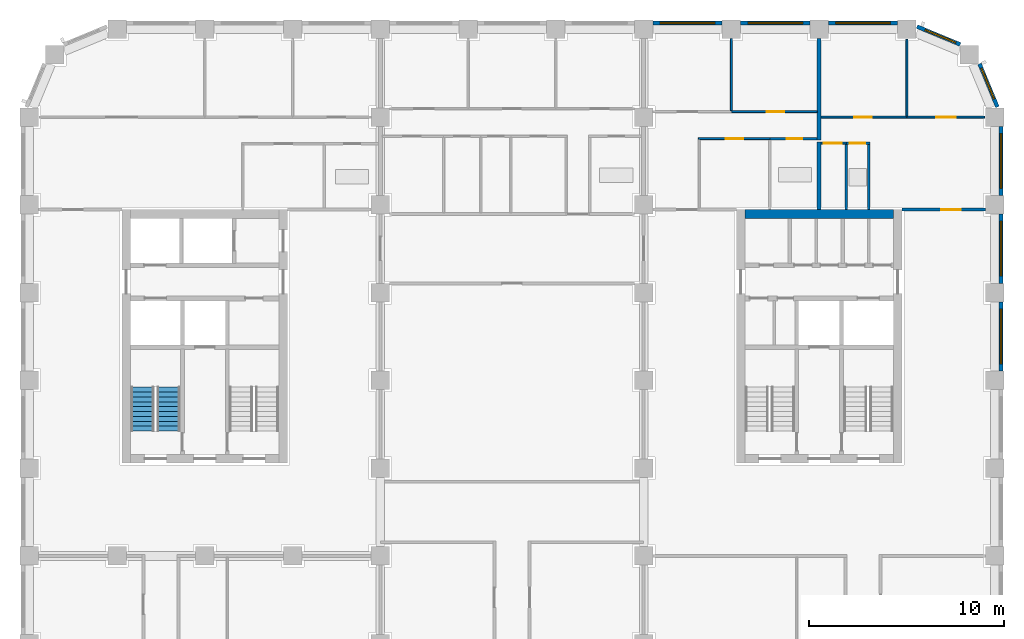
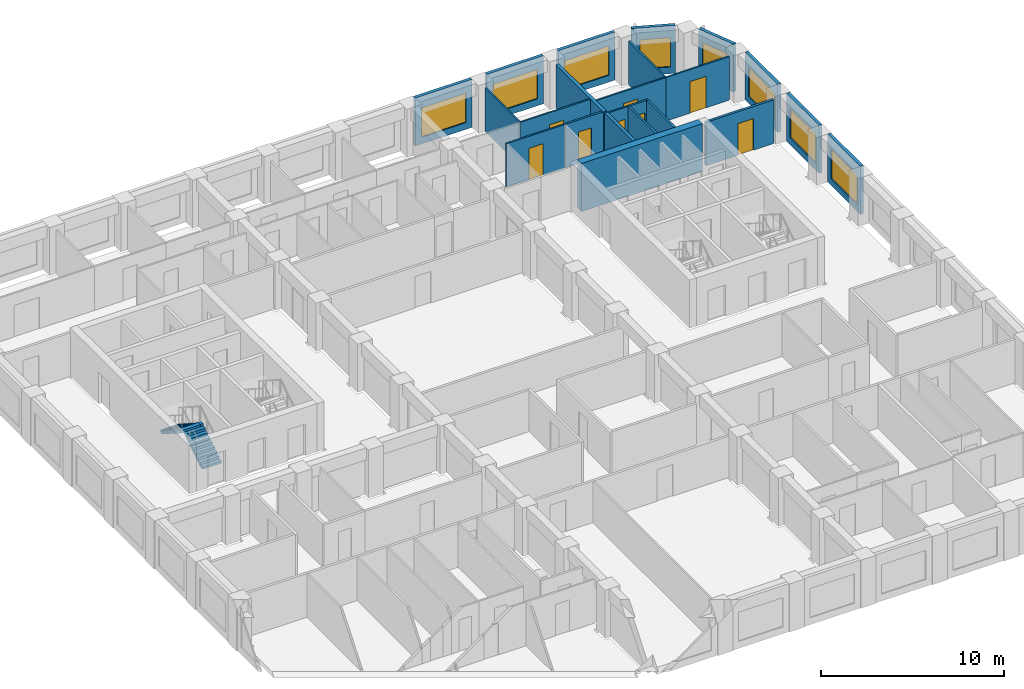
# One storey, part 9 of 13: 23 walls, 8 doors, 8 windows, 2 stair flights, 16 openings, 1 element without a shape of its own.
"""IFC4 building model written with IfcOpenShell, lengths in metres."""

from ifc_helpers import new_model, si_unit, direction, frame, frame_2d, origin, place, context, subcontext, project, spatial, polyline, rectangle, outline, extrude, material, layer, layer_set, type_object, element, fill, aggregate, save


model = new_model("IFC4")

# Units and contexts
model_context = context("Model", 3, precision=1e-05, world=origin(), true_north=direction((0.0, 1.0)))
body_context = subcontext(model_context, "Body", "Model", "MODEL_VIEW")
ifc_project = project(units=[si_unit("LENGTHUNIT", "METRE"), si_unit("AREAUNIT", "SQUARE_METRE"), si_unit("VOLUMEUNIT", "CUBIC_METRE"), si_unit("PLANEANGLEUNIT", "RADIAN"), si_unit("MASSUNIT", "GRAM", prefix="KILO")], contexts=[model_context])

# Site, building, storey
site_placement = place(None, origin())
site = spatial("IfcSite", under=ifc_project, at=site_placement, CompositionType="ELEMENT")
building_placement = place(site_placement, origin())
building = spatial("IfcBuilding", under=site, at=building_placement, Name="Girih Gate Residences", CompositionType="ELEMENT")
storey_placement = place(building_placement, frame((0.0, 0.0, 130.199951171875)))
storey = spatial("IfcBuildingStorey", under=building, at=storey_placement, Name="L36", CompositionType="ELEMENT", Elevation=130.199951171875)

# Wall, opening, door
ifc_material_1 = material(Name="Gypsum board on steel studs", Category="steel")
ifc_layer_1 = layer(ifc_material_1, 0.14990234375)
ifc_layer_set_1 = layer_set([ifc_layer_1], Name="Compartment wall 150 mm")
wall_type_1 = type_object("IfcWallType", Name="Compartment wall 150 mm", PredefinedType="PARTITIONING", material=ifc_layer_set_1)
wall_1_placement = place(storey_placement, frame((44.75, 40.25, 0.0), z_axis=(0.0, 0.0, 1.0), x_axis=(1.0, 0.0, 0.0)))
wall_1 = element("IfcWall", 1, at=wall_1_placement, inside=storey, type_object=wall_type_1, Name="L36 partition", PredefinedType="PARTITIONING", context=body_context, shape_type="SweptSolid", body=[
    extrude(rectangle(XDim=4.27490234375, YDim=0.14990234375, at=frame_2d((2.137451171875, 0.0))), origin(), (0.0, 0.0, 1.0), 2.900146484375),
])
opening_1_placement = place(wall_1_placement, frame((2.0, 0.0, 0.0)))
opening_1 = element("IfcOpeningElement", 2, at=opening_1_placement, cuts=wall_1, Name="Opening A36-031", PredefinedType="OPENING", context=body_context, shape_type="SweptSolid", body=[
    extrude(rectangle(XDim=1.0, YDim=2.10009765625, at=frame_2d((0.5, 1.050048828125))), frame((0.0, 0.0849609375, 0.0), z_axis=(0.0, -1.0, 0.0), x_axis=(1.0, 0.0, 0.0)), (0.0, 0.0, 1.0), 0.169921875),
])
ifc_material_2 = material(Name="Timber, fire-rated core", Category="wood")
door_type_1 = type_object("IfcDoorType", Name="Flat entrance door 1000x2100 FD30S", OperationType="NOTDEFINED", PredefinedType="DOOR", material=ifc_material_2)
door_1_placement = place(opening_1_placement, origin())
door_1 = element("IfcDoor", 3, at=door_1_placement, inside=storey, type_object=door_type_1, Name="Door A36-031", OperationType="SINGLE_SWING_RIGHT", OverallHeight=2.10009765625, OverallWidth=1.0, PredefinedType="DOOR", context=body_context, shape_type="SweptSolid", body=[
    extrude(rectangle(XDim=1.0, YDim=2.10009765625, at=frame_2d((0.5, 1.050048828125))), frame((0.0, 0.02490234375, 0.0), z_axis=(0.0, -1.0, 0.0), x_axis=(1.0, 0.0, 0.0)), (0.0, 0.0, 1.0), 0.050048828125),
])
fill(opening_1, door_1)

# Wall
ifc_material_3 = material(Name="Concrete C60/75", Category="concrete")
ifc_layer_2 = layer(ifc_material_3, 0.449951171875)
ifc_layer_set_2 = layer_set([ifc_layer_2], Name="Core wall RC 450 Concrete C60/75")
wall_type_2 = type_object("IfcWallType", Name="Core wall RC 450 Concrete C60/75", PredefinedType="SOLIDWALL", material=ifc_layer_set_2)
wall_2_placement = place(storey_placement, frame((36.699951171875, 40.02490234375, 0.0), z_axis=(0.0, 0.0, 1.0), x_axis=(1.0, 0.0, 0.0)))
element("IfcWall", 4, at=wall_2_placement, inside=storey, type_object=wall_type_2, Name="Core wall E-N L36", PredefinedType="SOLIDWALL", context=body_context, shape_type="SweptSolid", body=[
    extrude(rectangle(XDim=7.60009765625, YDim=0.449951171875, at=frame_2d((3.800048828125, 0.0))), origin(), (0.0, 0.0, 1.0), 3.199951171875),
])

# Wall, opening, door
ifc_layer_3 = layer(ifc_material_1, 0.10009765625)
ifc_layer_set_3 = layer_set([ifc_layer_3], Name="Partition 100 mm")
wall_type_3 = type_object("IfcWallType", Name="Partition 100 mm", PredefinedType="PARTITIONING", material=ifc_layer_set_3)
wall_3_placement = place(storey_placement, frame((40.60009765625, 45.0, 0.0), z_axis=(0.0, 0.0, 1.0), x_axis=(1.0, 0.0, 0.0)))
wall_3 = element("IfcWall", 5, at=wall_3_placement, inside=storey, type_object=wall_type_3, Name="L36 partition", PredefinedType="PARTITIONING", context=body_context, shape_type="SweptSolid", body=[
    extrude(rectangle(XDim=4.39990234375, YDim=0.10009765625, at=frame_2d((2.199951171875, 0.0))), origin(), (0.0, 0.0, 1.0), 2.900146484375),
])
opening_2_placement = place(wall_3_placement, frame((1.699951171875, 0.0, 0.0)))
opening_2 = element("IfcOpeningElement", 6, at=opening_2_placement, cuts=wall_3, Name="Opening A36-028", PredefinedType="OPENING", context=body_context, shape_type="SweptSolid", body=[
    extrude(rectangle(XDim=0.89990234375, YDim=2.10009765625, at=frame_2d((0.449951171875, 1.050048828125))), frame((0.0, 0.06005859375, 0.0), z_axis=(0.0, -1.0, 0.0), x_axis=(1.0, 0.0, 0.0)), (0.0, 0.0, 1.0), 0.1201171875),
])
ifc_material_4 = material(Name="Timber", Category="wood")
door_type_2 = type_object("IfcDoorType", Name="Bedroom door 900x2100", OperationType="NOTDEFINED", PredefinedType="DOOR", material=ifc_material_4)
door_2_placement = place(opening_2_placement, origin())
door_2 = element("IfcDoor", 7, at=door_2_placement, inside=storey, type_object=door_type_2, Name="Door A36-028", OperationType="SINGLE_SWING_LEFT", OverallHeight=2.10009765625, OverallWidth=0.89990234375, PredefinedType="DOOR", context=body_context, shape_type="SweptSolid", body=[
    extrude(rectangle(XDim=0.89990234375, YDim=2.10009765625, at=frame_2d((0.449951171875, 1.050048828125))), frame((0.0, 0.02490234375, 0.0), z_axis=(0.0, -1.0, 0.0), x_axis=(1.0, 0.0, 0.0)), (0.0, 0.0, 1.0), 0.050048828125),
])
fill(opening_2, door_2)

# Wall
wall_4_placement = place(storey_placement, frame((45.0, 45.050048828125, 0.0), z_axis=(0.0, 0.0, 1.0), x_axis=(0.0, 1.0, 0.0)))
element("IfcWall", 8, at=wall_4_placement, inside=storey, type_object=wall_type_3, Name="L36 partition", PredefinedType="PARTITIONING", context=body_context, shape_type="SweptSolid", body=[
    extrude(rectangle(XDim=3.935791015625, YDim=0.10009765625, at=frame_2d((1.9677734375, 0.0))), origin(), (0.0, 0.0, 1.0), 2.900146484375),
])

# Wall, opening, door
wall_5_placement = place(storey_placement, frame((41.890869140625, 43.659912109375, 0.0), z_axis=(0.0, 0.0, 1.0), x_axis=(-1.0, 0.0, 0.0)))
wall_5 = element("IfcWall", 9, at=wall_5_placement, inside=storey, type_object=wall_type_3, Name="L36 partition", PredefinedType="PARTITIONING", context=body_context, shape_type="SweptSolid", body=[
    extrude(rectangle(XDim=1.290771484375, YDim=0.10009765625, at=frame_2d((0.6455078125, 0.0))), origin(), (0.0, 0.0, 1.0), 2.900146484375),
])
opening_3_placement = place(wall_5_placement, frame((0.24560546875, 0.0, 0.0)))
opening_3 = element("IfcOpeningElement", 10, at=opening_3_placement, cuts=wall_5, Name="Opening A36-029", PredefinedType="OPENING", context=body_context, shape_type="SweptSolid", body=[
    extrude(rectangle(XDim=0.89990234375, YDim=2.10009765625, at=frame_2d((0.449951171875, 1.050048828125))), frame((0.0, 0.06005859375, 0.0), z_axis=(0.0, -1.0, 0.0), x_axis=(1.0, 0.0, 0.0)), (0.0, 0.0, 1.0), 0.1201171875),
])
door_type_3 = type_object("IfcDoorType", Name="Kitchen door 900x2100", OperationType="NOTDEFINED", PredefinedType="DOOR", material=ifc_material_4)
door_3_placement = place(opening_3_placement, origin())
door_3 = element("IfcDoor", 11, at=door_3_placement, inside=storey, type_object=door_type_3, Name="Door A36-029", OperationType="SINGLE_SWING_RIGHT", OverallHeight=2.10009765625, OverallWidth=0.89990234375, PredefinedType="DOOR", context=body_context, shape_type="SweptSolid", body=[
    extrude(rectangle(XDim=0.89990234375, YDim=2.10009765625, at=frame_2d((0.449951171875, 1.050048828125))), frame((0.0, 0.02490234375, 0.0), z_axis=(0.0, -1.0, 0.0), x_axis=(1.0, 0.0, 0.0)), (0.0, 0.0, 1.0), 0.050048828125),
])
fill(opening_3, door_3)

wall_6_placement = place(storey_placement, frame((45.0, 45.0, 0.0), z_axis=(0.0, 0.0, 1.0), x_axis=(1.0, 0.0, 0.0)))
wall_6 = element("IfcWall", 12, at=wall_6_placement, inside=storey, type_object=wall_type_3, Name="L36 partition", PredefinedType="PARTITIONING", context=body_context, shape_type="SweptSolid", body=[
    extrude(rectangle(XDim=3.98583984375, YDim=0.10009765625, at=frame_2d((1.992919921875, 0.0))), origin(), (0.0, 0.0, 1.0), 2.900146484375),
])
opening_4_placement = place(wall_6_placement, frame((1.512451171875, 0.0, 0.0)))
opening_4 = element("IfcOpeningElement", 13, at=opening_4_placement, cuts=wall_6, Name="Opening A36-030", PredefinedType="OPENING", context=body_context, shape_type="SweptSolid", body=[
    extrude(rectangle(XDim=1.0, YDim=2.10009765625, at=frame_2d((0.5, 1.050048828125))), frame((0.0, 0.06005859375, 0.0), z_axis=(0.0, -1.0, 0.0), x_axis=(1.0, 0.0, 0.0)), (0.0, 0.0, 1.0), 0.1201171875),
])
door_type_4 = type_object("IfcDoorType", Name="Living room door 1000x2100", OperationType="NOTDEFINED", PredefinedType="DOOR", material=ifc_material_4)
door_4_placement = place(opening_4_placement, origin())
door_4 = element("IfcDoor", 14, at=door_4_placement, inside=storey, type_object=door_type_4, Name="Door A36-030", OperationType="SINGLE_SWING_RIGHT", OverallHeight=2.10009765625, OverallWidth=1.0, PredefinedType="DOOR", context=body_context, shape_type="SweptSolid", body=[
    extrude(rectangle(XDim=1.0, YDim=2.10009765625, at=frame_2d((0.5, 1.050048828125))), frame((0.0, 0.02490234375, 0.0), z_axis=(0.0, -1.0, 0.0), x_axis=(1.0, 0.0, 0.0)), (0.0, 0.0, 1.0), 0.050048828125),
])
fill(opening_4, door_4)

wall_7_placement = place(storey_placement, frame((36.0, 45.27490234375, 0.0), z_axis=(0.0, 0.0, 1.0), x_axis=(1.0, 0.0, 0.0)))
wall_7 = element("IfcWall", 15, at=wall_7_placement, inside=storey, type_object=wall_type_3, Name="L36 partition", PredefinedType="PARTITIONING", context=body_context, shape_type="SweptSolid", body=[
    extrude(rectangle(XDim=4.39990234375, YDim=0.10009765625, at=frame_2d((2.199951171875, 0.0))), origin(), (0.0, 0.0, 1.0), 2.900146484375),
])
opening_5_placement = place(wall_7_placement, frame((1.800048828125, 0.0, 0.0)))
opening_5 = element("IfcOpeningElement", 16, at=opening_5_placement, cuts=wall_7, Name="Opening A36-033", PredefinedType="OPENING", context=body_context, shape_type="SweptSolid", body=[
    extrude(rectangle(XDim=0.89990234375, YDim=2.10009765625, at=frame_2d((0.449951171875, 1.050048828125))), frame((0.0, 0.06005859375, 0.0), z_axis=(0.0, -1.0, 0.0), x_axis=(1.0, 0.0, 0.0)), (0.0, 0.0, 1.0), 0.1201171875),
])
door_5_placement = place(opening_5_placement, origin())
door_5 = element("IfcDoor", 17, at=door_5_placement, inside=storey, type_object=door_type_2, Name="Door A36-033", OperationType="SINGLE_SWING_RIGHT", OverallHeight=2.10009765625, OverallWidth=0.89990234375, PredefinedType="DOOR", context=body_context, shape_type="SweptSolid", body=[
    extrude(rectangle(XDim=0.89990234375, YDim=2.10009765625, at=frame_2d((0.449951171875, 1.050048828125))), frame((0.0, 0.02490234375, 0.0), z_axis=(0.0, -1.0, 0.0), x_axis=(1.0, 0.0, 0.0)), (0.0, 0.0, 1.0), 0.050048828125),
])
fill(opening_5, door_5)

# Wall
wall_8_placement = place(storey_placement, frame((36.0, 45.324951171875, 0.0), z_axis=(0.0, 0.0, 1.0), x_axis=(0.0, 1.0, 0.0)))
element("IfcWall", 18, at=wall_8_placement, inside=storey, type_object=wall_type_3, Name="L36 partition", PredefinedType="PARTITIONING", context=body_context, shape_type="SweptSolid", body=[
    extrude(rectangle(XDim=3.699951171875, YDim=0.10009765625, at=frame_2d((1.85009765625, 0.0))), origin(), (0.0, 0.0, 1.0), 2.900146484375),
])

# Wall, opening, door
wall_9_placement = place(storey_placement, frame((37.97265625, 43.89501953125, 0.0), z_axis=(0.0, 0.0, 1.0), x_axis=(-1.0, 0.0, 0.0)))
wall_9 = element("IfcWall", 19, at=wall_9_placement, inside=storey, type_object=wall_type_3, Name="L36 partition", PredefinedType="PARTITIONING", context=body_context, shape_type="SweptSolid", body=[
    extrude(rectangle(XDim=3.672607421875, YDim=0.10009765625, at=frame_2d((1.83642578125, 0.0))), origin(), (0.0, 0.0, 1.0), 2.900146484375),
])
opening_6_placement = place(wall_9_placement, frame((1.361328125, 0.0, 0.0)))
opening_6 = element("IfcOpeningElement", 20, at=opening_6_placement, cuts=wall_9, Name="Opening A36-034", PredefinedType="OPENING", context=body_context, shape_type="SweptSolid", body=[
    extrude(rectangle(XDim=0.89990234375, YDim=2.10009765625, at=frame_2d((0.449951171875, 1.050048828125))), frame((0.0, 0.06005859375, 0.0), z_axis=(0.0, -1.0, 0.0), x_axis=(1.0, 0.0, 0.0)), (0.0, 0.0, 1.0), 0.1201171875),
])
door_6_placement = place(opening_6_placement, origin())
door_6 = element("IfcDoor", 21, at=door_6_placement, inside=storey, type_object=door_type_3, Name="Door A36-034", OperationType="SINGLE_SWING_LEFT", OverallHeight=2.10009765625, OverallWidth=0.89990234375, PredefinedType="DOOR", context=body_context, shape_type="SweptSolid", body=[
    extrude(rectangle(XDim=0.89990234375, YDim=2.10009765625, at=frame_2d((0.449951171875, 1.050048828125))), frame((0.0, 0.02490234375, 0.0), z_axis=(0.0, -1.0, 0.0), x_axis=(1.0, 0.0, 0.0)), (0.0, 0.0, 1.0), 0.050048828125),
])
fill(opening_6, door_6)

# Walls
ifc_layer_4 = layer(ifc_material_1, 0.199951171875)
ifc_layer_set_4 = layer_set([ifc_layer_4], Name="Party wall 200 mm")
wall_type_4 = type_object("IfcWallType", Name="Party wall 200 mm", PredefinedType="PARTITIONING", material=ifc_layer_set_4)
wall_10_placement = place(storey_placement, frame((40.5, 43.83251953125, 0.0), z_axis=(0.0, 0.0, 1.0), x_axis=(0.0, 1.0, 0.0)))
element("IfcWall", 22, at=wall_10_placement, inside=storey, type_object=wall_type_4, Name="L36 partition", PredefinedType="PARTITIONING", context=body_context, shape_type="SweptSolid", body=[
    extrude(rectangle(XDim=5.1923828125, YDim=0.199951171875, at=frame_2d((2.59619140625, 0.0))), origin(), (0.0, 0.0, 1.0), 2.900146484375),
])
wall_11_placement = place(storey_placement, frame((40.5, 40.25, 0.0), z_axis=(0.0, 0.0, 1.0), x_axis=(0.0, 1.0, 0.0)))
element("IfcWall", 23, at=wall_11_placement, inside=storey, type_object=wall_type_4, Name="L36 partition", PredefinedType="PARTITIONING", context=body_context, shape_type="SweptSolid", body=[
    extrude(rectangle(XDim=3.4599609375, YDim=0.199951171875, at=frame_2d((1.72998046875, 0.0))), origin(), (0.0, 0.0, 1.0), 2.900146484375),
])

# Wall, opening, window
ifc_material_5 = material(Name="Precast concrete C50/60", Category="concrete")
ifc_layer_5 = layer(ifc_material_5, 0.06005859375, Name="Outer leaf")
ifc_material_6 = material(Name="Rigid PIR insulation")
ifc_layer_6 = layer(ifc_material_6, 0.090087890625, Name="Insulation")
ifc_material_7 = material(Name="Precast concrete C40/50", Category="concrete")
ifc_layer_7 = layer(ifc_material_7, 0.050048828125, Name="Inner leaf")
ifc_layer_set_5 = layer_set([ifc_layer_5, ifc_layer_6, ifc_layer_7], Name="Precast concrete C50/60 external wall 200")
wall_type_5 = type_object("IfcWallType", Name="Precast concrete C50/60 external wall 200", PredefinedType="SOLIDWALL", material=ifc_layer_set_5)
wall_12_placement = place(storey_placement, frame((49.824951171875, 35.52490234375, 0.0), z_axis=(0.0, 0.0, 1.0), x_axis=(0.0, -1.0, 0.0)))
wall_12 = element("IfcWall", 24, at=wall_12_placement, inside=storey, type_object=wall_type_5, Name="External wall E0495_0045.6", PredefinedType="SOLIDWALL", context=body_context, shape_type="SweptSolid", body=[
    extrude(rectangle(XDim=3.5498046875, YDim=0.199951171875, at=frame_2d((1.77490234375, 0.0))), origin(), (0.0, 0.0, 1.0), 3.199951171875),
])
opening_7_placement = place(wall_12_placement, frame((0.375, 0.0, 0.449951171875)))
opening_7 = element("IfcOpeningElement", 25, at=opening_7_placement, cuts=wall_12, Name="Opening W-1B", PredefinedType="OPENING", context=body_context, shape_type="SweptSolid", body=[
    extrude(rectangle(XDim=2.800048828125, YDim=1.949951171875, at=frame_2d((1.39990234375, 0.97509765625))), frame((0.0, 0.10986328125, 0.0), z_axis=(0.0, -1.0, 0.0), x_axis=(1.0, 0.0, 0.0)), (0.0, 0.0, 1.0), 0.219970703125),
])
ifc_material_8 = material(Name="Double glazing in aluminium frame", Category="aluminium")
window_type_1 = type_object("IfcWindowType", Name="Window W-1B 2800x1950", PartitioningType="SINGLE_PANEL", PredefinedType="WINDOW", material=ifc_material_8)
window_1_placement = place(opening_7_placement, origin())
window_1 = element("IfcWindow", 26, at=window_1_placement, inside=storey, type_object=window_type_1, Name="Window W-1B E0495_0045.6", OverallHeight=1.949951171875, OverallWidth=2.800048828125, PartitioningType="SINGLE_PANEL", PredefinedType="WINDOW", context=body_context, shape_type="SweptSolid", body=[
    extrude(rectangle(XDim=2.800048828125, YDim=1.949951171875, at=frame_2d((1.39990234375, 0.97509765625))), frame((0.0, 0.030029296875, 0.0), z_axis=(0.0, -1.0, 0.0), x_axis=(1.0, 0.0, 0.0)), (0.0, 0.0, 1.0), 0.06005859375),
])
fill(opening_7, window_1)

wall_13_placement = place(storey_placement, frame((49.824951171875, 40.02490234375, 0.0), z_axis=(0.0, 0.0, 1.0), x_axis=(0.0, -1.0, 0.0)))
wall_13 = element("IfcWall", 27, at=wall_13_placement, inside=storey, type_object=wall_type_5, Name="External wall E0495_0045.7", PredefinedType="SOLIDWALL", context=body_context, shape_type="SweptSolid", body=[
    extrude(rectangle(XDim=3.5498046875, YDim=0.199951171875, at=frame_2d((1.77490234375, 0.0))), origin(), (0.0, 0.0, 1.0), 3.199951171875),
])
opening_8_placement = place(wall_13_placement, frame((0.375, 0.0, 0.449951171875)))
opening_8 = element("IfcOpeningElement", 28, at=opening_8_placement, cuts=wall_13, Name="Opening W-1B", PredefinedType="OPENING", context=body_context, shape_type="SweptSolid", body=[
    extrude(rectangle(XDim=2.800048828125, YDim=1.949951171875, at=frame_2d((1.39990234375, 0.97509765625))), frame((0.0, 0.10986328125, 0.0), z_axis=(0.0, -1.0, 0.0), x_axis=(1.0, 0.0, 0.0)), (0.0, 0.0, 1.0), 0.219970703125),
])
window_2_placement = place(opening_8_placement, origin())
window_2 = element("IfcWindow", 29, at=window_2_placement, inside=storey, type_object=window_type_1, Name="Window W-1B E0495_0045.7", OverallHeight=1.949951171875, OverallWidth=2.800048828125, PartitioningType="SINGLE_PANEL", PredefinedType="WINDOW", context=body_context, shape_type="SweptSolid", body=[
    extrude(rectangle(XDim=2.800048828125, YDim=1.949951171875, at=frame_2d((1.39990234375, 0.97509765625))), frame((0.0, 0.030029296875, 0.0), z_axis=(0.0, -1.0, 0.0), x_axis=(1.0, 0.0, 0.0)), (0.0, 0.0, 1.0), 0.06005859375),
])
fill(opening_8, window_2)

wall_14_placement = place(storey_placement, frame((49.824951171875, 44.52490234375, 0.0), z_axis=(0.0, 0.0, 1.0), x_axis=(0.0, -1.0, 0.0)))
wall_14 = element("IfcWall", 30, at=wall_14_placement, inside=storey, type_object=wall_type_5, Name="External wall E0495_0045.8", PredefinedType="SOLIDWALL", context=body_context, shape_type="SweptSolid", body=[
    extrude(rectangle(XDim=3.5498046875, YDim=0.199951171875, at=frame_2d((1.77490234375, 0.0))), origin(), (0.0, 0.0, 1.0), 3.199951171875),
])
opening_9_placement = place(wall_14_placement, frame((0.375, 0.0, 0.449951171875)))
opening_9 = element("IfcOpeningElement", 31, at=opening_9_placement, cuts=wall_14, Name="Opening W-1B", PredefinedType="OPENING", context=body_context, shape_type="SweptSolid", body=[
    extrude(rectangle(XDim=2.800048828125, YDim=1.949951171875, at=frame_2d((1.39990234375, 0.97509765625))), frame((0.0, 0.10986328125, 0.0), z_axis=(0.0, -1.0, 0.0), x_axis=(1.0, 0.0, 0.0)), (0.0, 0.0, 1.0), 0.219970703125),
])
window_3_placement = place(opening_9_placement, origin())
window_3 = element("IfcWindow", 32, at=window_3_placement, inside=storey, type_object=window_type_1, Name="Window W-1B E0495_0045.8", OverallHeight=1.949951171875, OverallWidth=2.800048828125, PartitioningType="SINGLE_PANEL", PredefinedType="WINDOW", context=body_context, shape_type="SweptSolid", body=[
    extrude(rectangle(XDim=2.800048828125, YDim=1.949951171875, at=frame_2d((1.39990234375, 0.97509765625))), frame((0.0, 0.030029296875, 0.0), z_axis=(0.0, -1.0, 0.0), x_axis=(1.0, 0.0, 0.0)), (0.0, 0.0, 1.0), 0.06005859375),
])
fill(opening_9, window_3)

wall_15_placement = place(storey_placement, frame((48.7197265625, 47.73291015625, 0.0), z_axis=(0.0, 0.0, 1.0), x_axis=(0.382680855588, -0.923880599843, 0.0)))
wall_15 = element("IfcWall", 33, at=wall_15_placement, inside=storey, type_object=wall_type_5, Name="External wall NE0495_0450.0", PredefinedType="SOLIDWALL", context=body_context, shape_type="SweptSolid", body=[
    extrude(rectangle(XDim=2.402587890625, YDim=0.199951171875, at=frame_2d((1.201171875, 0.0))), origin(), (0.0, 0.0, 1.0), 3.199951171875),
])
opening_10_placement = place(wall_15_placement, frame((0.25146484375, 0.0, 0.449951171875)))
opening_10 = element("IfcOpeningElement", 34, at=opening_10_placement, cuts=wall_15, Name="Opening W-2E", PredefinedType="OPENING", context=body_context, shape_type="SweptSolid", body=[
    extrude(rectangle(XDim=1.699951171875, YDim=1.949951171875, at=frame_2d((0.85009765625, 0.97509765625))), frame((0.0, 0.10986328125, 0.0), z_axis=(0.0, -1.0, 0.0), x_axis=(1.0, 0.0, 0.0)), (0.0, 0.0, 1.0), 0.219970703125),
])
window_type_2 = type_object("IfcWindowType", Name="Window W-2E 1700x1950", PartitioningType="SINGLE_PANEL", PredefinedType="WINDOW", material=ifc_material_8)
window_4_placement = place(opening_10_placement, origin())
window_4 = element("IfcWindow", 35, at=window_4_placement, inside=storey, type_object=window_type_2, Name="Window W-2E NE0495_0450.0", OverallHeight=1.949951171875, OverallWidth=1.699951171875, PartitioningType="SINGLE_PANEL", PredefinedType="WINDOW", context=body_context, shape_type="SweptSolid", body=[
    extrude(rectangle(XDim=1.699951171875, YDim=1.949951171875, at=frame_2d((0.85009765625, 0.97509765625))), frame((0.0, 0.030029296875, 0.0), z_axis=(0.0, -1.0, 0.0), x_axis=(1.0, 0.0, 0.0)), (0.0, 0.0, 1.0), 0.06005859375),
])
fill(opening_10, window_4)

wall_16_placement = place(storey_placement, frame((45.51318359375, 49.63916015625, 0.0), z_axis=(0.0, 0.0, 1.0), x_axis=(0.923880599843, -0.382680855588, 0.0)))
wall_16 = element("IfcWall", 36, at=wall_16_placement, inside=storey, type_object=wall_type_5, Name="External wall NE0482_0482.0", PredefinedType="SOLIDWALL", context=body_context, shape_type="SweptSolid", body=[
    extrude(rectangle(XDim=2.402587890625, YDim=0.199951171875, at=frame_2d((1.201171875, 0.0))), origin(), (0.0, 0.0, 1.0), 3.199951171875),
])
opening_11_placement = place(wall_16_placement, frame((0.451171875, 0.0, 0.449951171875)))
opening_11 = element("IfcOpeningElement", 37, at=opening_11_placement, cuts=wall_16, Name="Opening W-2E", PredefinedType="OPENING", context=body_context, shape_type="SweptSolid", body=[
    extrude(rectangle(XDim=1.699951171875, YDim=1.949951171875, at=frame_2d((0.85009765625, 0.97509765625))), frame((0.0, 0.10986328125, 0.0), z_axis=(0.0, -1.0, 0.0), x_axis=(1.0, 0.0, 0.0)), (0.0, 0.0, 1.0), 0.219970703125),
])
window_5_placement = place(opening_11_placement, origin())
window_5 = element("IfcWindow", 38, at=window_5_placement, inside=storey, type_object=window_type_2, Name="Window W-2E NE0482_0482.0", OverallHeight=1.949951171875, OverallWidth=1.699951171875, PartitioningType="SINGLE_PANEL", PredefinedType="WINDOW", context=body_context, shape_type="SweptSolid", body=[
    extrude(rectangle(XDim=1.699951171875, YDim=1.949951171875, at=frame_2d((0.85009765625, 0.97509765625))), frame((0.0, 0.030029296875, 0.0), z_axis=(0.0, -1.0, 0.0), x_axis=(1.0, 0.0, 0.0)), (0.0, 0.0, 1.0), 0.06005859375),
])
fill(opening_11, window_5)

wall_17_placement = place(storey_placement, frame((40.97509765625, 49.824951171875, 0.0), z_axis=(0.0, 0.0, 1.0), x_axis=(1.0, 0.0, 0.0)))
wall_17 = element("IfcWall", 39, at=wall_17_placement, inside=storey, type_object=wall_type_5, Name="External wall N0450_0495.0", PredefinedType="SOLIDWALL", context=body_context, shape_type="SweptSolid", body=[
    extrude(rectangle(XDim=3.5498046875, YDim=0.199951171875, at=frame_2d((1.77490234375, 0.0))), origin(), (0.0, 0.0, 1.0), 3.199951171875),
])
opening_12_placement = place(wall_17_placement, frame((0.375, 0.0, 0.449951171875)))
opening_12 = element("IfcOpeningElement", 40, at=opening_12_placement, cuts=wall_17, Name="Opening W-1B", PredefinedType="OPENING", context=body_context, shape_type="SweptSolid", body=[
    extrude(rectangle(XDim=2.800048828125, YDim=1.949951171875, at=frame_2d((1.39990234375, 0.97509765625))), frame((0.0, 0.10986328125, 0.0), z_axis=(0.0, -1.0, 0.0), x_axis=(1.0, 0.0, 0.0)), (0.0, 0.0, 1.0), 0.219970703125),
])
window_6_placement = place(opening_12_placement, origin())
window_6 = element("IfcWindow", 41, at=window_6_placement, inside=storey, type_object=window_type_1, Name="Window W-1B N0450_0495.0", OverallHeight=1.949951171875, OverallWidth=2.800048828125, PartitioningType="SINGLE_PANEL", PredefinedType="WINDOW", context=body_context, shape_type="SweptSolid", body=[
    extrude(rectangle(XDim=2.800048828125, YDim=1.949951171875, at=frame_2d((1.39990234375, 0.97509765625))), frame((0.0, 0.030029296875, 0.0), z_axis=(0.0, -1.0, 0.0), x_axis=(1.0, 0.0, 0.0)), (0.0, 0.0, 1.0), 0.06005859375),
])
fill(opening_12, window_6)

wall_18_placement = place(storey_placement, frame((36.47509765625, 49.824951171875, 0.0), z_axis=(0.0, 0.0, 1.0), x_axis=(1.0, 0.0, 0.0)))
wall_18 = element("IfcWall", 42, at=wall_18_placement, inside=storey, type_object=wall_type_5, Name="External wall N0450_0495.1", PredefinedType="SOLIDWALL", context=body_context, shape_type="SweptSolid", body=[
    extrude(rectangle(XDim=3.5498046875, YDim=0.199951171875, at=frame_2d((1.77490234375, 0.0))), origin(), (0.0, 0.0, 1.0), 3.199951171875),
])
opening_13_placement = place(wall_18_placement, frame((0.375, 0.0, 0.449951171875)))
opening_13 = element("IfcOpeningElement", 43, at=opening_13_placement, cuts=wall_18, Name="Opening W-1B", PredefinedType="OPENING", context=body_context, shape_type="SweptSolid", body=[
    extrude(rectangle(XDim=2.800048828125, YDim=1.949951171875, at=frame_2d((1.39990234375, 0.97509765625))), frame((0.0, 0.10986328125, 0.0), z_axis=(0.0, -1.0, 0.0), x_axis=(1.0, 0.0, 0.0)), (0.0, 0.0, 1.0), 0.219970703125),
])
window_7_placement = place(opening_13_placement, origin())
window_7 = element("IfcWindow", 44, at=window_7_placement, inside=storey, type_object=window_type_1, Name="Window W-1B N0450_0495.1", OverallHeight=1.949951171875, OverallWidth=2.800048828125, PartitioningType="SINGLE_PANEL", PredefinedType="WINDOW", context=body_context, shape_type="SweptSolid", body=[
    extrude(rectangle(XDim=2.800048828125, YDim=1.949951171875, at=frame_2d((1.39990234375, 0.97509765625))), frame((0.0, 0.030029296875, 0.0), z_axis=(0.0, -1.0, 0.0), x_axis=(1.0, 0.0, 0.0)), (0.0, 0.0, 1.0), 0.06005859375),
])
fill(opening_13, window_7)

wall_19_placement = place(storey_placement, frame((31.97509765625, 49.824951171875, 0.0), z_axis=(0.0, 0.0, 1.0), x_axis=(1.0, 0.0, 0.0)))
wall_19 = element("IfcWall", 45, at=wall_19_placement, inside=storey, type_object=wall_type_5, Name="External wall N0450_0495.2", PredefinedType="SOLIDWALL", context=body_context, shape_type="SweptSolid", body=[
    extrude(rectangle(XDim=3.5498046875, YDim=0.199951171875, at=frame_2d((1.77490234375, 0.0))), origin(), (0.0, 0.0, 1.0), 3.199951171875),
])
opening_14_placement = place(wall_19_placement, frame((0.375, 0.0, 0.449951171875)))
opening_14 = element("IfcOpeningElement", 46, at=opening_14_placement, cuts=wall_19, Name="Opening W-1B", PredefinedType="OPENING", context=body_context, shape_type="SweptSolid", body=[
    extrude(rectangle(XDim=2.800048828125, YDim=1.949951171875, at=frame_2d((1.39990234375, 0.97509765625))), frame((0.0, 0.10986328125, 0.0), z_axis=(0.0, -1.0, 0.0), x_axis=(1.0, 0.0, 0.0)), (0.0, 0.0, 1.0), 0.219970703125),
])
window_8_placement = place(opening_14_placement, origin())
window_8 = element("IfcWindow", 47, at=window_8_placement, inside=storey, type_object=window_type_1, Name="Window W-1B N0450_0495.2", OverallHeight=1.949951171875, OverallWidth=2.800048828125, PartitioningType="SINGLE_PANEL", PredefinedType="WINDOW", context=body_context, shape_type="SweptSolid", body=[
    extrude(rectangle(XDim=2.800048828125, YDim=1.949951171875, at=frame_2d((1.39990234375, 0.97509765625))), frame((0.0, 0.030029296875, 0.0), z_axis=(0.0, -1.0, 0.0), x_axis=(1.0, 0.0, 0.0)), (0.0, 0.0, 1.0), 0.06005859375),
])
fill(opening_14, window_8)

# Wall, opening, door
ifc_layer_8 = layer(ifc_material_1, 0.125)
ifc_layer_set_6 = layer_set([ifc_layer_8], Name="Wet room wall 125 mm")
wall_type_6 = type_object("IfcWallType", Name="Wet room wall 125 mm", PredefinedType="PARTITIONING", material=ifc_layer_set_6)
wall_20_placement = place(storey_placement, frame((43.112548828125, 43.659912109375, 0.0), z_axis=(0.0, 0.0, 1.0), x_axis=(-1.0, 0.0, 0.0)))
wall_20 = element("IfcWall", 48, at=wall_20_placement, inside=storey, type_object=wall_type_6, Name="L36 partition", PredefinedType="PARTITIONING", context=body_context, shape_type="SweptSolid", body=[
    extrude(rectangle(XDim=1.2216796875, YDim=0.125, at=frame_2d((0.61083984375, 0.0))), origin(), (0.0, 0.0, 1.0), 2.900146484375),
])
opening_15_placement = place(wall_20_placement, frame((0.241943359375, 0.0, 0.0)))
opening_15 = element("IfcOpeningElement", 49, at=opening_15_placement, cuts=wall_20, Name="Opening A36-027", PredefinedType="OPENING", context=body_context, shape_type="SweptSolid", body=[
    extrude(rectangle(XDim=0.800048828125, YDim=2.10009765625, at=frame_2d((0.39990234375, 1.050048828125))), frame((0.0, 0.072509765625, 0.0), z_axis=(0.0, -1.0, 0.0), x_axis=(1.0, 0.0, 0.0)), (0.0, 0.0, 1.0), 0.14501953125),
])
door_type_5 = type_object("IfcDoorType", Name="Bathroom door 800x2100", OperationType="NOTDEFINED", PredefinedType="DOOR", material=ifc_material_4)
door_7_placement = place(opening_15_placement, origin())
door_7 = element("IfcDoor", 50, at=door_7_placement, inside=storey, type_object=door_type_5, Name="Door A36-027", OperationType="SINGLE_SWING_RIGHT", OverallHeight=2.10009765625, OverallWidth=0.800048828125, PredefinedType="DOOR", context=body_context, shape_type="SweptSolid", body=[
    extrude(rectangle(XDim=0.800048828125, YDim=2.10009765625, at=frame_2d((0.39990234375, 1.050048828125))), frame((0.0, 0.02490234375, 0.0), z_axis=(0.0, -1.0, 0.0), x_axis=(1.0, 0.0, 0.0)), (0.0, 0.0, 1.0), 0.050048828125),
])
fill(opening_15, door_7)

# Walls
for number, where, z_axis, x_axis, name in (
    (51, (43.050048828125, 40.25, 0.0), (0.0, 0.0, 1.0), (0.0, 1.0, 0.0), "L36 partition"),
    (52, (41.89111328125, 40.25, 0.0), (0.0, 0.0, 1.0), (0.0, 1.0, 0.0), "L36 partition"),
):
    element("IfcWall", number, at=place(storey_placement, frame(where, z_axis=z_axis, x_axis=x_axis)), inside=storey, type_object=wall_type_6, Name=name, PredefinedType="PARTITIONING", context=body_context, shape_type="SweptSolid", body=[
        extrude(rectangle(XDim=3.347412109375, YDim=0.125, at=frame_2d((1.673828125, 0.0))), origin(), (0.0, 0.0, 1.0), 2.900146484375),
    ])

# Wall, opening, door
wall_21_placement = place(storey_placement, frame((40.39990234375, 43.89501953125, 0.0), z_axis=(0.0, 0.0, 1.0), x_axis=(-1.0, 0.0, 0.0)))
wall_21 = element("IfcWall", 53, at=wall_21_placement, inside=storey, type_object=wall_type_6, Name="L36 partition", PredefinedType="PARTITIONING", context=body_context, shape_type="SweptSolid", body=[
    extrude(rectangle(XDim=2.42724609375, YDim=0.125, at=frame_2d((1.213623046875, 0.0))), origin(), (0.0, 0.0, 1.0), 2.900146484375),
])
opening_16_placement = place(wall_21_placement, frame((0.763671875, 0.0, 0.0)))
opening_16 = element("IfcOpeningElement", 54, at=opening_16_placement, cuts=wall_21, Name="Opening A36-032", PredefinedType="OPENING", context=body_context, shape_type="SweptSolid", body=[
    extrude(rectangle(XDim=0.800048828125, YDim=2.10009765625, at=frame_2d((0.39990234375, 1.050048828125))), frame((0.0, 0.072509765625, 0.0), z_axis=(0.0, -1.0, 0.0), x_axis=(1.0, 0.0, 0.0)), (0.0, 0.0, 1.0), 0.14501953125),
])
door_8_placement = place(opening_16_placement, origin())
door_8 = element("IfcDoor", 55, at=door_8_placement, inside=storey, type_object=door_type_5, Name="Door A36-032", OperationType="SINGLE_SWING_LEFT", OverallHeight=2.10009765625, OverallWidth=0.800048828125, PredefinedType="DOOR", context=body_context, shape_type="SweptSolid", body=[
    extrude(rectangle(XDim=0.800048828125, YDim=2.10009765625, at=frame_2d((0.39990234375, 1.050048828125))), frame((0.0, 0.02490234375, 0.0), z_axis=(0.0, -1.0, 0.0), x_axis=(1.0, 0.0, 0.0)), (0.0, 0.0, 1.0), 0.050048828125),
])
fill(opening_16, door_8)

# Stair, stair flights
ifc_material_9 = material(Name="Concrete C40/50", Category="concrete")
stair_type = type_object("IfcStairType", Name="Exit stair", PredefinedType="HALF_TURN_STAIR", material=ifc_material_9)
stair_placement = place(storey_placement, origin())
stair = element("IfcStair", 56, at=stair_placement, inside=storey, type_object=stair_type, Name="L36 Exit Stair ST-W1", PredefinedType="HALF_TURN_STAIR")
stair_flight_type = type_object("IfcStairFlightType", Name="Stair flight 1200", PredefinedType="STRAIGHT", material=ifc_material_9)
stair_flight_1_placement = place(storey_placement, frame((7.14990234375, 28.89990234375, 0.0), z_axis=(0.0, 0.0, 1.0), x_axis=(0.0, 1.0, 0.0)))
stair_flight_1 = element("IfcStairFlight", 57, at=stair_flight_1_placement, type_object=stair_flight_type, Name="ST-W1 flight 1", NumberOfRisers=10, NumberOfTreads=9, PredefinedType="STRAIGHT", RiserHeight=0.16, TreadLength=0.25, context=body_context, shape_type="SweptSolid", body=[
    extrude(outline(polyline([(0.0, 0.0), (0.0, 0.159912109375), (0.25, 0.159912109375), (0.25, 0.320068359375), (0.5, 0.320068359375), (0.5, 0.47998046875), (0.75, 0.47998046875), (0.75, 0.639892578125), (1.0, 0.639892578125), (1.0, 0.800048828125), (1.25, 0.800048828125), (1.25, 0.9599609375), (1.5, 0.9599609375), (1.5, 1.1201171875), (1.75, 1.1201171875), (1.75, 1.280029296875), (2.0, 1.280029296875), (2.0, 1.43994140625), (2.25, 1.43994140625), (2.25, 1.60009765625), (2.25, 1.29736328125), (0.222900390625, 0.0), (0.0, 0.0)])), frame((0.0, 0.60009765625, 0.0), z_axis=(0.0, -1.0, 0.0), x_axis=(1.0, 0.0, 0.0)), (0.0, 0.0, 1.0), 1.199951171875),
])
stair_flight_2_placement = place(storey_placement, frame((5.800048828125, 31.14990234375, 1.60009765625), z_axis=(0.0, 0.0, 1.0), x_axis=(0.0, -1.0, 0.0)))
stair_flight_2 = element("IfcStairFlight", 58, at=stair_flight_2_placement, type_object=stair_flight_type, Name="ST-W1 flight 2", NumberOfRisers=10, NumberOfTreads=9, PredefinedType="STRAIGHT", RiserHeight=0.16, TreadLength=0.25, context=body_context, shape_type="SweptSolid", body=[
    extrude(outline(polyline([(0.0, 0.0), (0.0, 0.159912109375), (0.25, 0.159912109375), (0.25, 0.320068359375), (0.5, 0.320068359375), (0.5, 0.47998046875), (0.75, 0.47998046875), (0.75, 0.639892578125), (1.0, 0.639892578125), (1.0, 0.800048828125), (1.25, 0.800048828125), (1.25, 0.9599609375), (1.5, 0.9599609375), (1.5, 1.1201171875), (1.75, 1.1201171875), (1.75, 1.280029296875), (2.0, 1.280029296875), (2.0, 1.43994140625), (2.25, 1.43994140625), (2.25, 1.60009765625), (2.25, 1.29736328125), (0.222900390625, 0.0), (0.0, 0.0)])), frame((0.0, 0.60009765625, 0.0), z_axis=(0.0, -1.0, 0.0), x_axis=(1.0, 0.0, 0.0)), (0.0, 0.0, 1.0), 1.199951171875),
])
aggregate(stair, [stair_flight_1, stair_flight_2])

save(model, "model.ifc")
